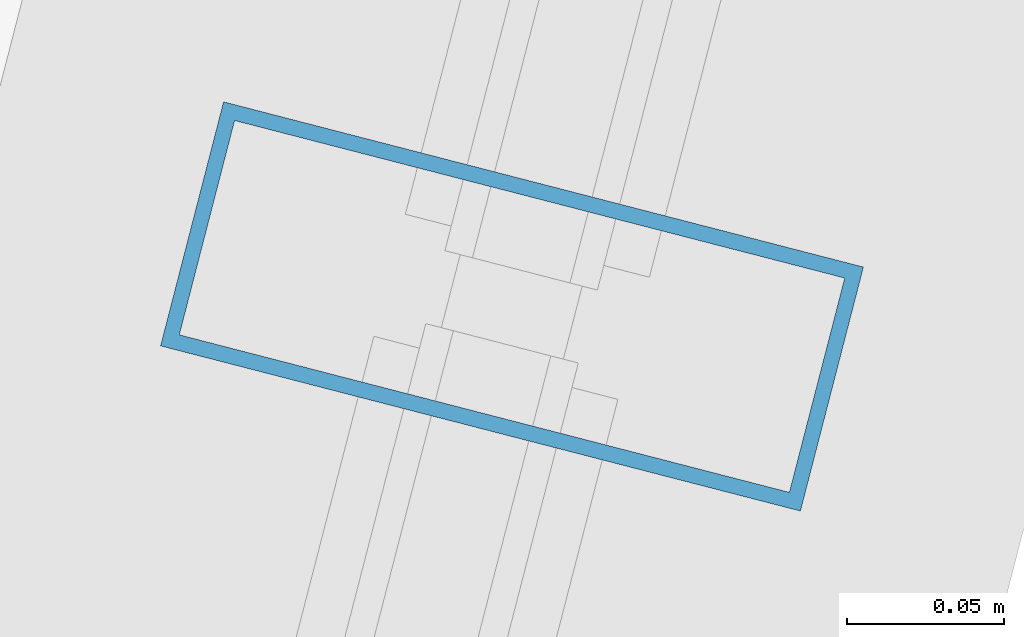
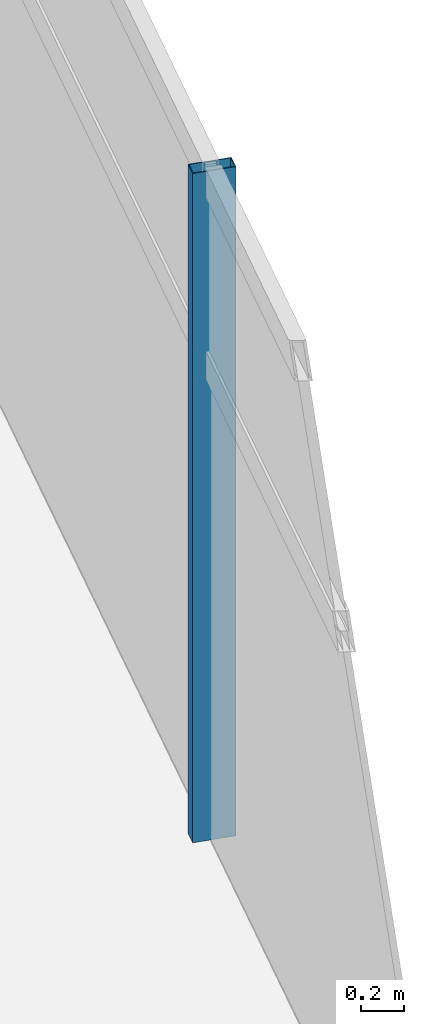
# One storey, part 65 of 171: 1 member, 1 element without a shape of its own.
"""IFC4 building model written with IfcOpenShell, lengths in metres."""

from ifc_helpers import new_model, si_unit, direction, frame, origin, origin_2d, place, context, subcontext, project, spatial, hollow_rectangle, extrude, material, layer, layer_set, material_profile, profile_set, type_object, element, aggregate, save


model = new_model("IFC4")

# Units and contexts
model_context = context("Model", 3, precision=1e-05, world=origin(), true_north=direction((0.0, 1.0)))
body_context = subcontext(model_context, "Body", "Model", "MODEL_VIEW")
ifc_project = project(units=[si_unit("LENGTHUNIT", "METRE"), si_unit("AREAUNIT", "SQUARE_METRE"), si_unit("VOLUMEUNIT", "CUBIC_METRE"), si_unit("PLANEANGLEUNIT", "RADIAN"), si_unit("MASSUNIT", "GRAM", prefix="KILO")], contexts=[model_context])

# Site, building, storey
site_placement = place(None, origin())
site = spatial("IfcSite", under=ifc_project, at=site_placement, CompositionType="ELEMENT")
building_placement = place(site_placement, origin())
building = spatial("IfcBuilding", under=site, at=building_placement, Name="Kazemori Nagisa Stadium", CompositionType="ELEMENT")
storey_placement = place(building_placement, frame((0.0, 0.0, 15.639892578125)))
storey = spatial("IfcBuildingStorey", under=building, at=storey_placement, Name="L03", CompositionType="ELEMENT", Elevation=15.639892578125)

# Curtain wall, member
ifc_material_1 = material(Name="Anodised aluminium 6063-T5", Category="aluminium")
ifc_layer = layer(ifc_material_1, 0.2099609375, Name="Anodised aluminium 6063-T5", Category="aluminium")
ifc_layer_set = layer_set([ifc_layer], Name="Anodised aluminium 6063-T5")
curtain_wall_type = type_object("IfcCurtainWallType", Name="CW_L03R3_96", PredefinedType="USERDEFINED", material=ifc_layer_set)
curtain_wall_placement = place(storey_placement, origin())
curtain_wall = element("IfcCurtainWall", 1, at=curtain_wall_placement, inside=storey, type_object=curtain_wall_type, Name="Unitised curtain wall CW-L03R3-96 L03", ObjectType="UNITISED CURTAIN WALL", PredefinedType="USERDEFINED")
ifc_material_2 = material(Name="Aluminium 6063-T5 anodised", Category="aluminium")
ifc_material_profile = material_profile(ifc_material_2, hollow_rectangle(XDim=0.080078125, YDim=0.2099609375, WallThickness=0.0048828125, at=origin_2d()), Name="ALU-MULL-80x210x5")
ifc_profile_set = profile_set([ifc_material_profile], Name="Aluminium 6063-T5 anodised")
member_type = type_object("IfcMemberType", Name="Mullion_M02", PredefinedType="MULLION", material=ifc_profile_set)
member_placement = place(storey_placement, frame((213.58984375, 69.8544921875, 0.0), z_axis=(0.0, 0.0, 1.0), x_axis=(0.249964642418, 0.968254965152, 0.0)))
member = element("IfcMember", 2, at=member_placement, type_object=member_type, Name="Curtain wall mullion CW-L03R3-96-M2", PredefinedType="MULLION", context=body_context, shape_type="SweptSolid", body=[
    extrude(hollow_rectangle(XDim=0.080078125, YDim=0.2099609375, WallThickness=0.0048828125, at=origin_2d()), origin(), (0.0, 0.0, 1.0), 3.81005859375),
])
aggregate(curtain_wall, [member])

save(model, "model.ifc")
